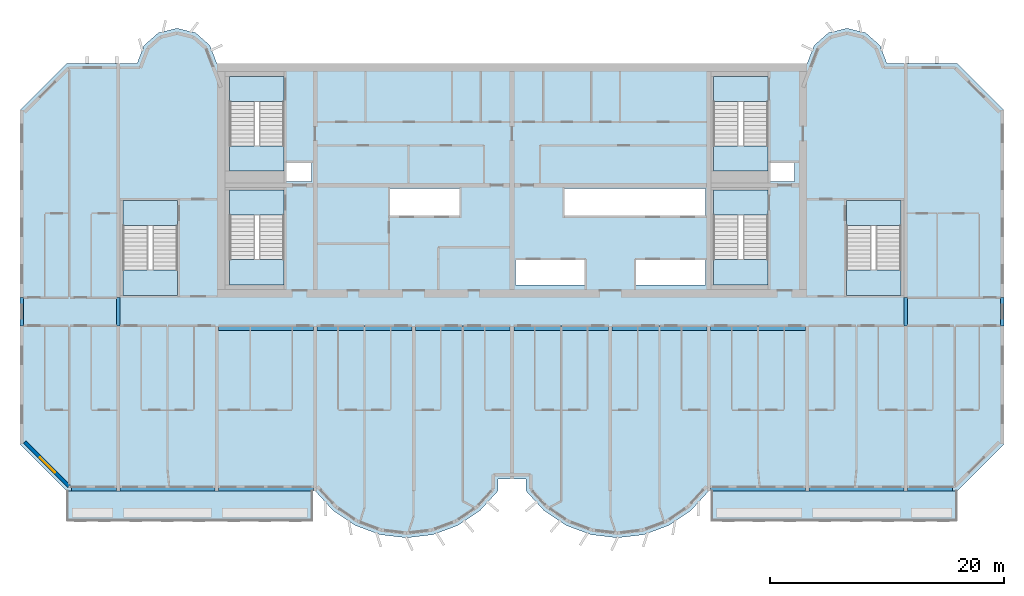
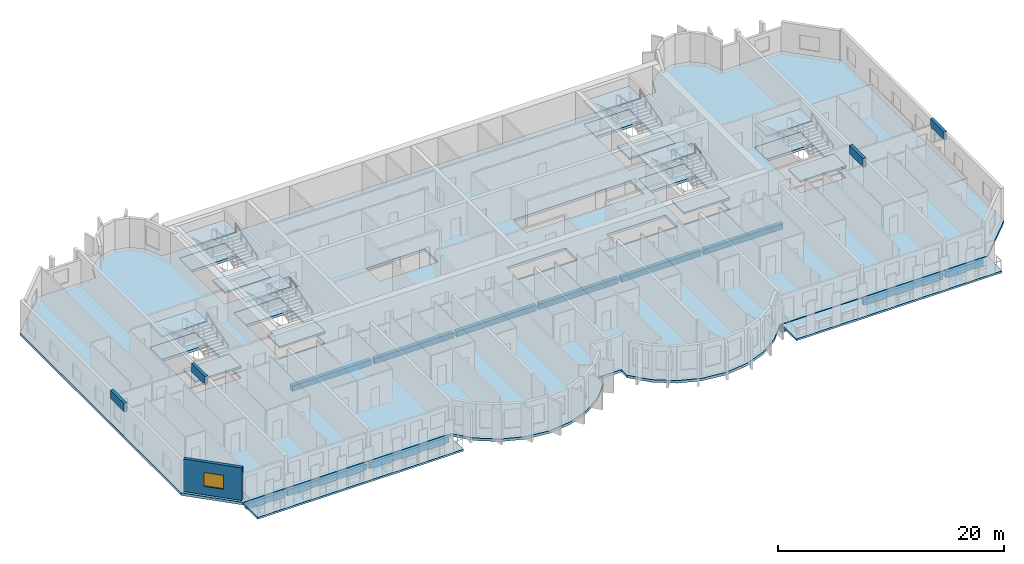
# One storey, part 1 of 13: 21 slabs, 16 beams, 1 wall, 1 window, 1 opening, 6 elements without a shape of their own.
"""IFC4 building model written with IfcOpenShell, lengths in metres."""

import ifcopenshell
import ifcopenshell.guid

model = None  # the IFC model being written
_history = None  # IfcOwnerHistory: only IFC2X3 demands one
_inside = {}  # id of a spatial element -> (the spatial element, [elements in it])
_under = {}  # id of a project, library or spatial element -> (it, [spatial elements below it])
_declared = {}  # id of a project -> (the project, [libraries it declares])
_typed = {}  # id of a type object -> (the type object, [elements of that type])
_made_of = {}  # id of a material, layer set ... -> (it, [elements and type objects made of it])


def new_model(schema):
    """Start an empty IFC model of exactly this schema.

    Asked for "IFC4X3", IfcOpenShell would pick the latest addendum, in which some entities
    have other attributes; the version numbers below select the first issue.
    IFC2X3 requires an IfcOwnerHistory on every rooted entity: one is made here for all.
    """
    global model, _history
    if schema == "IFC4X3":
        model = ifcopenshell.file(schema_version=(4, 3, 0, 0))
    else:
        model = ifcopenshell.file(schema=schema)
    _inside.clear()
    _under.clear()
    _declared.clear()
    _typed.clear()
    _made_of.clear()
    _history = None
    if model.schema == "IFC2X3":
        org = make("IfcOrganization", Name="unknown")
        user = make(
            "IfcPersonAndOrganization",
            ThePerson=make("IfcPerson", FamilyName="unknown"),
            TheOrganization=org,
        )
        app = make(
            "IfcApplication",
            ApplicationDeveloper=org,
            Version="unknown",
            ApplicationFullName="unknown",
            ApplicationIdentifier="unknown",
        )
        _history = make(
            "IfcOwnerHistory",
            OwningUser=user,
            OwningApplication=app,
            ChangeAction="ADDED",
            CreationDate=0,
        )
    return model


def make(cls, **values):
    """One entity of the class cls with the attributes given. An attribute that is None is left unset."""
    return model.create_entity(
        cls, **{name: value for name, value in values.items() if value is not None}
    )


def rooted(cls, **values):
    """An entity with a GlobalId (a new one), such as an element, a storey or a relation."""
    return make(cls, GlobalId=ifcopenshell.guid.new(), OwnerHistory=_history, **values)


def si_unit(unit_type, name, prefix=None):
    """IfcSIUnit, for example si_unit("LENGTHUNIT", "METRE", prefix="MILLI")."""
    return make("IfcSIUnit", UnitType=unit_type, Prefix=prefix, Name=name)


def assignment(units):
    """IfcUnitAssignment: the units of a project."""
    return None if units is None else make("IfcUnitAssignment", Units=units)


def point(xyz):
    """IfcCartesianPoint."""
    return None if xyz is None else make("IfcCartesianPoint", Coordinates=xyz)


def direction(xyz):
    """IfcDirection."""
    return None if xyz is None else make("IfcDirection", DirectionRatios=xyz)


def frame(location, z_axis=None, x_axis=None):
    """IfcAxis2Placement3D, a coordinate frame: its origin and axes. An axis left out is left unset."""
    return make(
        "IfcAxis2Placement3D",
        Location=point(location),
        Axis=direction(z_axis),
        RefDirection=direction(x_axis),
    )


def frame_2d(location, x_axis=None):
    """IfcAxis2Placement2D, a coordinate frame in the plane: its origin and x axis."""
    return make(
        "IfcAxis2Placement2D", Location=point(location), RefDirection=direction(x_axis)
    )


def origin():
    """The frame at (0, 0, 0) with its axes left unset."""
    return frame((0.0, 0.0, 0.0))


def origin_2d():
    """The frame at (0, 0) in the plane with its x axis left unset."""
    return frame_2d((0.0, 0.0))


def place(relative_to, where):
    """IfcLocalPlacement: puts the frame where relative to a parent placement (None: the world)."""
    return make(
        "IfcLocalPlacement", PlacementRelTo=relative_to, RelativePlacement=where
    )


def context(
    kind, dimensions, precision=None, world=None, true_north=None, identifier=None
):
    """IfcGeometricRepresentationContext, for example the 3D "Model" context."""
    return make(
        "IfcGeometricRepresentationContext",
        ContextIdentifier=identifier,
        ContextType=kind,
        CoordinateSpaceDimension=dimensions,
        Precision=precision,
        WorldCoordinateSystem=world,
        TrueNorth=true_north,
    )


def subcontext(parent, identifier, kind, view, scale=None):
    """IfcGeometricRepresentationSubContext, for example "Body" below "Model"."""
    return make(
        "IfcGeometricRepresentationSubContext",
        ContextIdentifier=identifier,
        ContextType=kind,
        ParentContext=parent,
        TargetScale=scale,
        TargetView=view,
    )


def project(units=None, contexts=None):
    """IfcProject with its units and contexts."""
    return rooted(
        "IfcProject",
        Name="project",
        RepresentationContexts=contexts,
        UnitsInContext=assignment(units),
    )


def spatial(cls, under=None, at=None, **own):
    """A site, building, storey or space (cls), placed at a placement, below another one or the project."""
    s = rooted(cls, ObjectPlacement=at, **own)
    if under is not None:
        _under.setdefault(under.id(), (under, []))[1].append(s)
    return s


def polyline(points):
    """IfcPolyline through the points."""
    return make("IfcPolyline", Points=[point(p) for p in points])


def profile(cls, at=None, kind="AREA", **sizes):
    """A parametric profile (cls). Its sizes go by their IFC names, for example OverallWidth=200.0."""
    return make(cls, ProfileType=kind, Position=at, **sizes)


def rectangle(**sizes):
    """IfcRectangleProfileDef."""
    return profile("IfcRectangleProfileDef", **sizes)


def outline(outer, holes=None, kind="AREA"):
    """IfcArbitraryClosedProfileDef: a profile drawn as a closed curve; with holes, ...WithVoids."""
    if holes is None:
        return make("IfcArbitraryClosedProfileDef", ProfileType=kind, OuterCurve=outer)
    return make(
        "IfcArbitraryProfileDefWithVoids",
        ProfileType=kind,
        OuterCurve=outer,
        InnerCurves=holes,
    )


def extrude(swept, where, along, depth):
    """IfcExtrudedAreaSolid: the profile swept, set in the frame where, extruded along a direction by depth."""
    return make(
        "IfcExtrudedAreaSolid",
        SweptArea=swept,
        Position=where,
        ExtrudedDirection=direction(along),
        Depth=depth,
    )


def shape(context_of_items, identifier, shape_type, items):
    """IfcShapeRepresentation: the items that make up one representation, for example the "Body"."""
    return make(
        "IfcShapeRepresentation",
        ContextOfItems=context_of_items,
        RepresentationIdentifier=identifier,
        RepresentationType=shape_type,
        Items=items,
    )


def source(mapping_origin, context_of_items, identifier, shape_type, items):
    """IfcRepresentationMap: a shape defined once, which mapped items show again and again."""
    return make(
        "IfcRepresentationMap",
        MappingOrigin=mapping_origin,
        MappedRepresentation=shape(context_of_items, identifier, shape_type, items),
    )


def transform(
    local_origin,
    x_axis=None,
    y_axis=None,
    z_axis=None,
    scale=None,
    scale2=None,
    scale3=None,
    uniform=True,
):
    """IfcCartesianTransformationOperator3D, or its non-uniform kind. x_axis, y_axis, z_axis: its Axis1, 2, 3."""
    if uniform:
        return make(
            "IfcCartesianTransformationOperator3D",
            Axis1=direction(x_axis),
            Axis2=direction(y_axis),
            LocalOrigin=point(local_origin),
            Scale=scale,
            Axis3=direction(z_axis),
        )
    return make(
        "IfcCartesianTransformationOperator3DnonUniform",
        Axis1=direction(x_axis),
        Axis2=direction(y_axis),
        LocalOrigin=point(local_origin),
        Scale=scale,
        Axis3=direction(z_axis),
        Scale2=scale2,
        Scale3=scale3,
    )


def mapped(mapping_source, mapping_target):
    """IfcMappedItem: shows the shape of a source again, moved by a transform."""
    return make(
        "IfcMappedItem", MappingSource=mapping_source, MappingTarget=mapping_target
    )


def material(Name=None, Category=None):
    """IfcMaterial."""
    return make("IfcMaterial", Name=Name, Category=Category)


def layer(
    of_material, thickness, ventilated=None, Name=None, Category=None, Priority=None
):
    """IfcMaterialLayer: one layer of a wall or slab, of a material (None: an air gap)."""
    return make(
        "IfcMaterialLayer",
        Material=of_material,
        LayerThickness=thickness,
        IsVentilated=ventilated,
        Name=Name,
        Category=Category,
        Priority=Priority,
    )


def layer_set(layers, Name=None):
    """IfcMaterialLayerSet."""
    return make("IfcMaterialLayerSet", MaterialLayers=layers, LayerSetName=Name)


def material_profile(
    of_material, cross_section, Name=None, Category=None, Priority=None
):
    """IfcMaterialProfile: a cross section and its material."""
    return make(
        "IfcMaterialProfile",
        Name=Name,
        Material=of_material,
        Profile=cross_section,
        Priority=Priority,
        Category=Category,
    )


def profile_set(profiles, Name=None, composite=None):
    """IfcMaterialProfileSet."""
    return make(
        "IfcMaterialProfileSet",
        Name=Name,
        MaterialProfiles=profiles,
        CompositeProfile=composite,
    )


def made_of(thing, what):
    """Note that an element or type object is made of a material, layer set ...; save() writes the relation."""
    if what is not None:
        _made_of.setdefault(what.id(), (what, []))[1].append(thing)
    return thing


def type_object(cls, material=None, **own):
    """A type object (cls), such as IfcWallType, which elements share."""
    return made_of(rooted(cls, **own), material)


def element(
    cls,
    number,
    at=None,
    inside=None,
    cuts=None,
    type_object=None,
    material=None,
    context=None,
    identifier="Body",
    shape_type=None,
    held_by="IfcProductDefinitionShape",
    body=None,
    shapes=None,
    **own,
):
    """One element of the class cls, such as IfcWall. Its Tag is "e" and its number.

    at: its placement. inside: the storey or other place that contains it. cuts: it is an
    opening in that element (IfcRelVoidsElement). A single representation is given by context,
    identifier, shape_type and body (its items); several are given by shapes. held_by: the class
    of the entity that holds the representations. save() writes the other relations.
    """
    e = rooted(cls, Tag="e%d" % number, ObjectPlacement=at, **own)
    if body is not None:
        shapes = [shape(context, identifier, shape_type, body)]
    if shapes is not None:
        e.Representation = make(held_by, Representations=shapes)
    if inside is not None:
        _inside.setdefault(inside.id(), (inside, []))[1].append(e)
    if cuts is not None:
        rooted(
            "IfcRelVoidsElement", RelatingBuildingElement=cuts, RelatedOpeningElement=e
        )
    if type_object is not None:
        _typed.setdefault(type_object.id(), (type_object, []))[1].append(e)
    return made_of(e, material)


def fill(opening, filler):
    """IfcRelFillsElement: the door or window that sits in an opening."""
    return rooted(
        "IfcRelFillsElement",
        RelatingOpeningElement=opening,
        RelatedBuildingElement=filler,
    )


def aggregate(whole, parts):
    """IfcRelAggregates: a whole, such as a stair, and the parts it consists of."""
    return rooted("IfcRelAggregates", RelatingObject=whole, RelatedObjects=parts)


def save(model, path):
    """Write the relations noted so far, then the file.

    IfcRelAggregates (storeys below a building ...), IfcRelContainedInSpatialStructure (elements
    in a storey), IfcRelDefinesByType, IfcRelAssociatesMaterial and IfcRelDeclares: one each for
    every whole, place, type object, material and project.
    """
    for whole, parts in _under.values():
        aggregate(whole, parts)
    for where, things in _inside.values():
        rooted(
            "IfcRelContainedInSpatialStructure",
            RelatedElements=things,
            RelatingStructure=where,
        )
    for kind, things in _typed.values():
        rooted("IfcRelDefinesByType", RelatedObjects=things, RelatingType=kind)
    for what, things in _made_of.values():
        rooted("IfcRelAssociatesMaterial", RelatedObjects=things, RelatingMaterial=what)
    for by, libraries in _declared.values():
        rooted("IfcRelDeclares", RelatingContext=by, RelatedDefinitions=libraries)
    model.write(path)


model = new_model("IFC4")

# Units and contexts
model_context = context("Model", 3, precision=1e-05, world=origin(), true_north=direction((0.0, 1.0)))
body_context = subcontext(model_context, "Body", "Model", "MODEL_VIEW")
ifc_project = project(units=[si_unit("LENGTHUNIT", "METRE"), si_unit("AREAUNIT", "SQUARE_METRE"), si_unit("VOLUMEUNIT", "CUBIC_METRE"), si_unit("PLANEANGLEUNIT", "RADIAN"), si_unit("MASSUNIT", "GRAM", prefix="KILO")], contexts=[model_context])

# Site, building, storey
site_placement = place(None, origin())
site = spatial("IfcSite", under=ifc_project, at=site_placement, CompositionType="ELEMENT")
building_placement = place(site_placement, origin())
building = spatial("IfcBuilding", under=site, at=building_placement, Name="Vanashikhar Sky Hotel", CompositionType="ELEMENT")
storey_placement = place(building_placement, frame((0.0, 0.0, 174.39990234375)))
storey = spatial("IfcBuildingStorey", under=building, at=storey_placement, Name="L42", CompositionType="ELEMENT", Elevation=174.39990234375)

# Beams
ifc_material_1 = material(Name="Concrete M50", Category="concrete")
ifc_material_profile_1 = material_profile(ifc_material_1, rectangle(XDim=0.300048828125, YDim=0.89990234375, at=origin_2d()))
ifc_profile_set_1 = profile_set([ifc_material_profile_1], Name="RC 300x900 beam Concrete M50")
beam_type_1 = type_object("IfcBeamType", Name="RC 300x900 beam Concrete M50", PredefinedType="LINTEL", material=ifc_profile_set_1)
shared_shape_1 = source(origin(), body_context, "Body", "SweptSolid", [
    extrude(rectangle(XDim=0.300048828125, YDim=0.89990234375, at=origin_2d()), origin(), (0.0, 0.0, 1.0), 2.39990234375),
])
for number, where, z_axis, x_axis, name in (
    (1, (8.550048828125, 19.60009765625, 3.070068359375), (0.0, 1.0, 0.0), (-1.0, 0.0, 0.0), "LB-L42-XW02"),
    (2, (16.800048828125, 19.60009765625, 3.070068359375), (0.0, 1.0, 0.0), (-1.0, 0.0, 0.0), "LB-L42-XW03"),
    (3, (84.0, 19.60009765625, 3.070068359375), (0.0, 1.0, 0.0), (-1.0, 0.0, 0.0), "LB-L42-XW11"),
    (4, (92.25, 19.60009765625, 3.070068359375), (0.0, 1.0, 0.0), (-1.0, 0.0, 0.0), "LB-L42-XW12"),
):
    element("IfcBeam", number, at=place(storey_placement, frame(where, z_axis=z_axis, x_axis=x_axis)), inside=storey, type_object=beam_type_1, Name=name, PredefinedType="LINTEL", context=body_context, shape_type="MappedRepresentation", body=[
        mapped(shared_shape_1, transform((0.0, 0.0, 0.0), scale=1.0)),
    ])
ifc_material_profile_2 = material_profile(ifc_material_1, rectangle(XDim=0.39990234375, YDim=0.64990234375, at=origin_2d()))
ifc_profile_set_2 = profile_set([ifc_material_profile_2], Name="RC 400x650 beam Concrete M50")
beam_type_2 = type_object("IfcBeamType", Name="RC 400x650 beam Concrete M50", PredefinedType="BEAM", material=ifc_profile_set_2)
shared_shape_2 = source(origin(), body_context, "Body", "SweptSolid", [
    extrude(rectangle(XDim=0.39990234375, YDim=0.64990234375, at=origin_2d()), origin(), (0.0, 0.0, 1.0), 8.10009765625),
])
for number, where, z_axis, x_axis, name in (
    (5, (16.949951171875, 5.699951171875, -0.60498046875), (1.0, 0.0, 0.0), (0.0, 1.0, 0.0), "EB-L42-F01"),
    (6, (75.75, 5.699951171875, -0.60498046875), (1.0, 0.0, 0.0), (0.0, 1.0, 0.0), "EB-L42-F05"),
):
    element("IfcBeam", number, at=place(storey_placement, frame(where, z_axis=z_axis, x_axis=x_axis)), inside=storey, type_object=beam_type_2, Name=name, PredefinedType="BEAM", context=body_context, shape_type="MappedRepresentation", body=[
        mapped(shared_shape_2, transform((0.0, 0.0, 0.0), scale=1.0)),
    ])
shared_shape_3 = source(origin(), body_context, "Body", "SweptSolid", [
    extrude(rectangle(XDim=0.39990234375, YDim=0.64990234375, at=origin_2d()), origin(), (0.0, 0.0, 1.0), 8.099853515625),
])
for number, where, z_axis, x_axis, name in (
    (7, (25.35009765625, 5.699951171875, -0.60498046875), (1.0, 0.0, 0.0), (0.0, 1.0, 0.0), "EB-L42-F02"),
    (8, (67.35009765625, 5.699951171875, -0.60498046875), (1.0, 0.0, 0.0), (0.0, 1.0, 0.0), "EB-L42-F04"),
):
    element("IfcBeam", number, at=place(storey_placement, frame(where, z_axis=z_axis, x_axis=x_axis)), inside=storey, type_object=beam_type_2, Name=name, PredefinedType="BEAM", context=body_context, shape_type="MappedRepresentation", body=[
        mapped(shared_shape_3, transform((0.0, 0.0, 0.0), scale=1.0)),
    ])
ifc_material_profile_3 = material_profile(ifc_material_1, rectangle(XDim=0.39990234375, YDim=0.64990234375, at=origin_2d()))
ifc_profile_set_3 = profile_set([ifc_material_profile_3], Name="RC 400x650 cantilever beam Concrete M50")
beam_type_3 = type_object("IfcBeamType", Name="RC 400x650 cantilever beam Concrete M50", PredefinedType="SPANDREL", material=ifc_profile_set_3)
shared_shape_4 = source(origin(), body_context, "Body", "SweptSolid", [
    extrude(rectangle(XDim=0.39990234375, YDim=0.64990234375, at=origin_2d()), origin(), (0.0, 0.0, 1.0), 3.849853515625),
])
beam_1_placement = place(storey_placement, frame((12.800048828125, 5.699951171875, -0.60498046875), z_axis=(1.0, 0.0, 0.0), x_axis=(0.0, 1.0, 0.0)))
element("IfcBeam", 9, at=beam_1_placement, inside=storey, type_object=beam_type_3, Name="EB-L42-F03", PredefinedType="SPANDREL", context=body_context, shape_type="MappedRepresentation", body=[
    mapped(shared_shape_4, transform((0.0, 0.0, 0.0), scale=1.0)),
])
shared_shape_5 = source(origin(), body_context, "Body", "SweptSolid", [
    extrude(rectangle(XDim=0.39990234375, YDim=0.64990234375, at=origin_2d()), origin(), (0.0, 0.0, 1.0), 3.85009765625),
])
beam_2_placement = place(storey_placement, frame((84.14990234375, 5.699951171875, -0.60498046875), z_axis=(1.0, 0.0, 0.0), x_axis=(0.0, 1.0, 0.0)))
element("IfcBeam", 10, at=beam_2_placement, inside=storey, type_object=beam_type_3, Name="EB-L42-F06", PredefinedType="SPANDREL", context=body_context, shape_type="MappedRepresentation", body=[
    mapped(shared_shape_5, transform((0.0, 0.0, 0.0), scale=1.0)),
])
ifc_material_profile_4 = material_profile(ifc_material_1, rectangle(XDim=0.39990234375, YDim=0.60009765625, at=origin_2d()))
ifc_profile_set_4 = profile_set([ifc_material_profile_4], Name="RC 400x600 beam Concrete M50")
beam_type_4 = type_object("IfcBeamType", Name="RC 400x600 beam Concrete M50", PredefinedType="BEAM", material=ifc_profile_set_4)
shared_shape_6 = source(origin(), body_context, "Body", "SweptSolid", [
    extrude(rectangle(XDim=0.39990234375, YDim=0.60009765625, at=origin_2d()), origin(), (0.0, 0.0, 1.0), 8.099853515625),
])
for number, where, z_axis, x_axis, name in (
    (11, (25.35009765625, 19.39990234375, -0.579833984375), (1.0, 0.0, 0.0), (0.0, 1.0, 0.0), "CB-L42-01"),
    (12, (50.550048828125, 19.39990234375, -0.579833984375), (1.0, 0.0, 0.0), (0.0, 1.0, 0.0), "CB-L42-04"),
    (13, (67.35009765625, 19.39990234375, -0.579833984375), (1.0, 0.0, 0.0), (0.0, 1.0, 0.0), "CB-L42-06"),
):
    element("IfcBeam", number, at=place(storey_placement, frame(where, z_axis=z_axis, x_axis=x_axis)), inside=storey, type_object=beam_type_4, Name=name, PredefinedType="BEAM", context=body_context, shape_type="MappedRepresentation", body=[
        mapped(shared_shape_6, transform((0.0, 0.0, 0.0), scale=1.0)),
    ])
shared_shape_7 = source(origin(), body_context, "Body", "SweptSolid", [
    extrude(rectangle(XDim=0.39990234375, YDim=0.60009765625, at=origin_2d()), origin(), (0.0, 0.0, 1.0), 8.10009765625),
])
for number, where, z_axis, x_axis, name in (
    (14, (33.75, 19.39990234375, -0.579833984375), (1.0, 0.0, 0.0), (0.0, 1.0, 0.0), "CB-L42-02"),
    (15, (42.14990234375, 19.39990234375, -0.579833984375), (1.0, 0.0, 0.0), (0.0, 1.0, 0.0), "CB-L42-03"),
    (16, (58.949951171875, 19.39990234375, -0.579833984375), (1.0, 0.0, 0.0), (0.0, 1.0, 0.0), "CB-L42-05"),
):
    element("IfcBeam", number, at=place(storey_placement, frame(where, z_axis=z_axis, x_axis=x_axis)), inside=storey, type_object=beam_type_4, Name=name, PredefinedType="BEAM", context=body_context, shape_type="MappedRepresentation", body=[
        mapped(shared_shape_7, transform((0.0, 0.0, 0.0), scale=1.0)),
    ])

# Slabs
ifc_material_2 = material(Name="Concrete M40", Category="concrete")
ifc_layer_1 = layer(ifc_material_2, 0.280029296875)
ifc_layer_set_1 = layer_set([ifc_layer_1], Name="Floor slab 280 mm")
slab_type_1 = type_object("IfcSlabType", Name="Floor slab 280 mm", PredefinedType="FLOOR", material=ifc_layer_set_1)
shared_shape_8 = source(origin(), body_context, "Body", "SweptSolid", [
    extrude(outline(polyline([(49.199951171875, 5.5), (49.199951171875, 6.5), (51.60009765625, 6.5), (51.60009765625, 5.5), (53.133056640625, 3.825927734375), (55.01708984375, 2.55810546875), (57.14599609375, 1.76806640625), (59.39990234375, 1.5), (61.654052734375, 1.76806640625), (63.782958984375, 2.55810546875), (65.6669921875, 3.825927734375), (67.199951171875, 5.5), (88.39990234375, 5.5), (92.39990234375, 9.5), (92.39990234375, 38.0), (88.39990234375, 42.0), (82.39990234375, 42.0), (81.81494140625, 43.527099609375), (80.587890625, 44.610107421875), (79.0, 45.0), (77.412109375, 44.610107421875), (76.18505859375, 43.527099609375), (75.60009765625, 42.0), (25.199951171875, 42.0), (24.614990234375, 43.527099609375), (23.387939453125, 44.610107421875), (21.800048828125, 45.0), (20.2119140625, 44.610107421875), (18.985107421875, 43.527099609375), (18.39990234375, 42.0), (12.39990234375, 42.0), (8.39990234375, 38.0), (8.39990234375, 9.5), (12.39990234375, 5.5), (33.60009765625, 5.5), (35.133056640625, 3.825927734375), (37.01708984375, 2.55810546875), (39.14599609375, 1.76806640625), (41.39990234375, 1.5), (43.654052734375, 1.76806640625), (45.782958984375, 2.55810546875), (47.6669921875, 3.825927734375), (49.199951171875, 5.5)]), holes=[polyline([(33.300048828125, 33.60009765625), (31.050048828125, 33.60009765625), (31.050048828125, 31.89990234375), (33.300048828125, 31.89990234375), (33.300048828125, 33.60009765625)]), polyline([(39.89990234375, 31.300048828125), (39.89990234375, 29.0), (45.89990234375, 29.0), (45.89990234375, 31.300048828125), (39.89990234375, 31.300048828125)]), polyline([(50.699951171875, 25.199951171875), (50.699951171875, 23.10009765625), (56.699951171875, 23.10009765625), (56.699951171875, 25.199951171875), (50.699951171875, 25.199951171875)]), polyline([(66.89990234375, 29.0), (66.89990234375, 31.300048828125), (54.89990234375, 31.300048828125), (54.89990234375, 29.0), (66.89990234375, 29.0)]), polyline([(60.89990234375, 25.199951171875), (60.89990234375, 23.10009765625), (66.89990234375, 23.10009765625), (66.89990234375, 25.199951171875), (60.89990234375, 25.199951171875)]), polyline([(74.5, 33.60009765625), (72.35009765625, 33.60009765625), (72.35009765625, 31.89990234375), (74.5, 31.89990234375), (74.5, 33.60009765625)]), polyline([(30.949951171875, 23.10009765625), (30.949951171875, 31.199951171875), (26.300048828125, 31.199951171875), (26.300048828125, 23.10009765625), (30.949951171875, 23.10009765625)]), polyline([(72.25, 23.10009765625), (72.25, 31.199951171875), (67.60009765625, 31.199951171875), (67.60009765625, 23.10009765625), (72.25, 23.10009765625)]), polyline([(30.949951171875, 32.800048828125), (30.949951171875, 40.89990234375), (26.300048828125, 40.89990234375), (26.300048828125, 32.800048828125), (30.949951171875, 32.800048828125)]), polyline([(72.25, 32.800048828125), (72.25, 40.89990234375), (67.60009765625, 40.89990234375), (67.60009765625, 32.800048828125), (72.25, 32.800048828125)]), polyline([(83.60009765625, 22.199951171875), (83.60009765625, 30.300048828125), (78.949951171875, 30.300048828125), (78.949951171875, 22.199951171875), (83.60009765625, 22.199951171875)]), polyline([(21.85009765625, 22.199951171875), (21.85009765625, 30.300048828125), (17.199951171875, 30.300048828125), (17.199951171875, 22.199951171875), (21.85009765625, 22.199951171875)])]), origin(), (0.0, 0.0, 1.0), 0.27978515625),
])
slab_1_placement = place(storey_placement, frame((0.0, 0.0, -0.27978515625)))
element("IfcSlab", 17, at=slab_1_placement, inside=storey, type_object=slab_type_1, Name="Floor slab L42", PredefinedType="FLOOR", context=body_context, shape_type="MappedRepresentation", body=[
    mapped(shared_shape_8, transform((0.0, 0.0, 0.0), scale=1.0)),
])
ifc_layer_2 = layer(ifc_material_2, 0.199951171875)
ifc_layer_set_2 = layer_set([ifc_layer_2], Name="Balcony slab 200 mm")
slab_type_2 = type_object("IfcSlabType", Name="Balcony slab 200 mm", PredefinedType="USERDEFINED", material=ifc_layer_set_2)
shared_shape_9 = source(origin(), body_context, "Body", "SweptSolid", [
    extrude(outline(polyline([(12.39990234375, 2.89990234375), (33.39990234375, 2.89990234375), (33.39990234375, 5.5), (12.39990234375, 5.5), (12.39990234375, 2.89990234375)])), origin(), (0.0, 0.0, 1.0), 0.2001953125),
])
slab_2_placement = place(storey_placement, frame((0.0, 0.0, -0.25)))
element("IfcSlab", 18, at=slab_2_placement, inside=storey, type_object=slab_type_2, Name="Balcony slab L42 1", ObjectType="BALCONY", PredefinedType="USERDEFINED", context=body_context, shape_type="MappedRepresentation", body=[
    mapped(shared_shape_9, transform((0.0, 0.0, 0.0), scale=1.0)),
])
shared_shape_10 = source(origin(), body_context, "Body", "SweptSolid", [
    extrude(outline(polyline([(67.39990234375, 2.89990234375), (88.39990234375, 2.89990234375), (88.39990234375, 5.5), (67.39990234375, 5.5), (67.39990234375, 2.89990234375)])), origin(), (0.0, 0.0, 1.0), 0.2001953125),
])
slab_3_placement = place(storey_placement, frame((0.0, 0.0, -0.25)))
element("IfcSlab", 19, at=slab_3_placement, inside=storey, type_object=slab_type_2, Name="Balcony slab L42 2", ObjectType="BALCONY", PredefinedType="USERDEFINED", context=body_context, shape_type="MappedRepresentation", body=[
    mapped(shared_shape_10, transform((0.0, 0.0, 0.0), scale=1.0)),
])

# Stair, slabs
stair_type = type_object("IfcStairType", Name="Exit stair 2150", PredefinedType="DOUBLE_RETURN_STAIR", material=ifc_material_2)
stair_1_placement = place(storey_placement, origin())
stair_1 = element("IfcStair", 20, at=stair_1_placement, inside=storey, type_object=stair_type, Name="L42 Exit stair 1", PredefinedType="DOUBLE_RETURN_STAIR")
ifc_layer_3 = layer(ifc_material_2, 0.199951171875)
ifc_layer_set_3 = layer_set([ifc_layer_3], Name="Stair landing 200")
slab_type_3 = type_object("IfcSlabType", Name="Stair landing 200", PredefinedType="LANDING", material=ifc_layer_set_3)
shared_shape_11 = source(origin(), body_context, "Body", "SweptSolid", [
    extrude(outline(polyline([(30.949951171875, 29.050048828125), (30.949951171875, 31.199951171875), (26.300048828125, 31.199951171875), (26.300048828125, 29.050048828125), (30.949951171875, 29.050048828125)])), origin(), (0.0, 0.0, 1.0), 0.199951171875),
])
slab_4_placement = place(storey_placement, frame((0.0, 0.0, 2.33349609375)))
slab_4 = element("IfcSlab", 21, at=slab_4_placement, type_object=slab_type_3, Name="ST-C1 landing 2", PredefinedType="LANDING", context=body_context, shape_type="MappedRepresentation", body=[
    mapped(shared_shape_11, transform((0.0, 0.0, 0.0), scale=1.0)),
])
shared_shape_12 = source(origin(), body_context, "Body", "SweptSolid", [
    extrude(outline(polyline([(30.949951171875, 23.10009765625), (30.949951171875, 25.25), (26.300048828125, 25.25), (26.300048828125, 23.10009765625), (30.949951171875, 23.10009765625)])), origin(), (0.0, 0.0, 1.0), 0.2001953125),
])
slab_5_placement = place(storey_placement, frame((0.0, 0.0, 1.066650390625)))
slab_5 = element("IfcSlab", 22, at=slab_5_placement, type_object=slab_type_3, Name="ST-C1 landing 1", PredefinedType="LANDING", context=body_context, shape_type="MappedRepresentation", body=[
    mapped(shared_shape_12, transform((0.0, 0.0, 0.0), scale=1.0)),
])
aggregate(stair_1, [slab_5, slab_4])

# Slab
ifc_layer_4 = layer(ifc_material_2, 0.280029296875)
ifc_layer_set_4 = layer_set([ifc_layer_4], Name="Stair floor landing 280")
slab_type_4 = type_object("IfcSlabType", Name="Stair floor landing 280", PredefinedType="LANDING", material=ifc_layer_set_4)
shared_shape_13 = source(origin(), body_context, "Body", "SweptSolid", [
    extrude(outline(polyline([(30.949951171875, 29.050048828125), (30.949951171875, 31.199951171875), (26.300048828125, 31.199951171875), (26.300048828125, 29.050048828125), (30.949951171875, 29.050048828125)])), origin(), (0.0, 0.0, 1.0), 0.27978515625),
])
slab_6_placement = place(storey_placement, frame((0.0, 0.0, -0.27978515625)))
element("IfcSlab", 23, at=slab_6_placement, inside=storey, type_object=slab_type_4, Name="Exit stair 1 floor landing", PredefinedType="LANDING", context=body_context, shape_type="MappedRepresentation", body=[
    mapped(shared_shape_13, transform((0.0, 0.0, 0.0), scale=1.0)),
])

# Stair, slabs
stair_2_placement = place(storey_placement, origin())
stair_2 = element("IfcStair", 24, at=stair_2_placement, inside=storey, type_object=stair_type, Name="L42 Exit stair 2", PredefinedType="DOUBLE_RETURN_STAIR")
shared_shape_14 = source(origin(), body_context, "Body", "SweptSolid", [
    extrude(outline(polyline([(72.25, 29.050048828125), (72.25, 31.199951171875), (67.60009765625, 31.199951171875), (67.60009765625, 29.050048828125), (72.25, 29.050048828125)])), origin(), (0.0, 0.0, 1.0), 0.199951171875),
])
slab_7_placement = place(storey_placement, frame((0.0, 0.0, 2.33349609375)))
slab_7 = element("IfcSlab", 25, at=slab_7_placement, type_object=slab_type_3, Name="ST-C2 landing 2", PredefinedType="LANDING", context=body_context, shape_type="MappedRepresentation", body=[
    mapped(shared_shape_14, transform((0.0, 0.0, 0.0), scale=1.0)),
])
shared_shape_15 = source(origin(), body_context, "Body", "SweptSolid", [
    extrude(outline(polyline([(72.25, 23.10009765625), (72.25, 25.25), (67.60009765625, 25.25), (67.60009765625, 23.10009765625), (72.25, 23.10009765625)])), origin(), (0.0, 0.0, 1.0), 0.2001953125),
])
slab_8_placement = place(storey_placement, frame((0.0, 0.0, 1.066650390625)))
slab_8 = element("IfcSlab", 26, at=slab_8_placement, type_object=slab_type_3, Name="ST-C2 landing 1", PredefinedType="LANDING", context=body_context, shape_type="MappedRepresentation", body=[
    mapped(shared_shape_15, transform((0.0, 0.0, 0.0), scale=1.0)),
])
aggregate(stair_2, [slab_8, slab_7])

# Slab
shared_shape_16 = source(origin(), body_context, "Body", "SweptSolid", [
    extrude(outline(polyline([(72.25, 29.050048828125), (72.25, 31.199951171875), (67.60009765625, 31.199951171875), (67.60009765625, 29.050048828125), (72.25, 29.050048828125)])), origin(), (0.0, 0.0, 1.0), 0.27978515625),
])
slab_9_placement = place(storey_placement, frame((0.0, 0.0, -0.27978515625)))
element("IfcSlab", 27, at=slab_9_placement, inside=storey, type_object=slab_type_4, Name="Exit stair 2 floor landing", PredefinedType="LANDING", context=body_context, shape_type="MappedRepresentation", body=[
    mapped(shared_shape_16, transform((0.0, 0.0, 0.0), scale=1.0)),
])

# Stair, slabs
stair_3_placement = place(storey_placement, origin())
stair_3 = element("IfcStair", 28, at=stair_3_placement, inside=storey, type_object=stair_type, Name="L42 Exit stair 3", PredefinedType="DOUBLE_RETURN_STAIR")
shared_shape_17 = source(origin(), body_context, "Body", "SweptSolid", [
    extrude(outline(polyline([(21.85009765625, 28.14990234375), (21.85009765625, 30.300048828125), (17.199951171875, 30.300048828125), (17.199951171875, 28.14990234375), (21.85009765625, 28.14990234375)])), origin(), (0.0, 0.0, 1.0), 0.199951171875),
])
slab_10_placement = place(storey_placement, frame((0.0, 0.0, 2.33349609375)))
slab_10 = element("IfcSlab", 29, at=slab_10_placement, type_object=slab_type_3, Name="ST-W landing 2", PredefinedType="LANDING", context=body_context, shape_type="MappedRepresentation", body=[
    mapped(shared_shape_17, transform((0.0, 0.0, 0.0), scale=1.0)),
])
shared_shape_18 = source(origin(), body_context, "Body", "SweptSolid", [
    extrude(outline(polyline([(21.85009765625, 22.199951171875), (21.85009765625, 24.35009765625), (17.199951171875, 24.35009765625), (17.199951171875, 22.199951171875), (21.85009765625, 22.199951171875)])), origin(), (0.0, 0.0, 1.0), 0.2001953125),
])
slab_11_placement = place(storey_placement, frame((0.0, 0.0, 1.066650390625)))
slab_11 = element("IfcSlab", 30, at=slab_11_placement, type_object=slab_type_3, Name="ST-W landing 1", PredefinedType="LANDING", context=body_context, shape_type="MappedRepresentation", body=[
    mapped(shared_shape_18, transform((0.0, 0.0, 0.0), scale=1.0)),
])
aggregate(stair_3, [slab_11, slab_10])

# Slab
shared_shape_19 = source(origin(), body_context, "Body", "SweptSolid", [
    extrude(outline(polyline([(21.85009765625, 28.14990234375), (21.85009765625, 30.300048828125), (17.199951171875, 30.300048828125), (17.199951171875, 28.14990234375), (21.85009765625, 28.14990234375)])), origin(), (0.0, 0.0, 1.0), 0.27978515625),
])
slab_12_placement = place(storey_placement, frame((0.0, 0.0, -0.27978515625)))
element("IfcSlab", 31, at=slab_12_placement, inside=storey, type_object=slab_type_4, Name="Exit stair 3 floor landing", PredefinedType="LANDING", context=body_context, shape_type="MappedRepresentation", body=[
    mapped(shared_shape_19, transform((0.0, 0.0, 0.0), scale=1.0)),
])

# Stair, slabs
stair_4_placement = place(storey_placement, origin())
stair_4 = element("IfcStair", 32, at=stair_4_placement, inside=storey, type_object=stair_type, Name="L42 Exit stair 4", PredefinedType="DOUBLE_RETURN_STAIR")
shared_shape_20 = source(origin(), body_context, "Body", "SweptSolid", [
    extrude(outline(polyline([(83.60009765625, 28.14990234375), (83.60009765625, 30.300048828125), (78.949951171875, 30.300048828125), (78.949951171875, 28.14990234375), (83.60009765625, 28.14990234375)])), origin(), (0.0, 0.0, 1.0), 0.199951171875),
])
slab_13_placement = place(storey_placement, frame((0.0, 0.0, 2.33349609375)))
slab_13 = element("IfcSlab", 33, at=slab_13_placement, type_object=slab_type_3, Name="ST-E landing 2", PredefinedType="LANDING", context=body_context, shape_type="MappedRepresentation", body=[
    mapped(shared_shape_20, transform((0.0, 0.0, 0.0), scale=1.0)),
])
shared_shape_21 = source(origin(), body_context, "Body", "SweptSolid", [
    extrude(outline(polyline([(83.60009765625, 22.199951171875), (83.60009765625, 24.35009765625), (78.949951171875, 24.35009765625), (78.949951171875, 22.199951171875), (83.60009765625, 22.199951171875)])), origin(), (0.0, 0.0, 1.0), 0.2001953125),
])
slab_14_placement = place(storey_placement, frame((0.0, 0.0, 1.066650390625)))
slab_14 = element("IfcSlab", 34, at=slab_14_placement, type_object=slab_type_3, Name="ST-E landing 1", PredefinedType="LANDING", context=body_context, shape_type="MappedRepresentation", body=[
    mapped(shared_shape_21, transform((0.0, 0.0, 0.0), scale=1.0)),
])
aggregate(stair_4, [slab_14, slab_13])

# Slab
shared_shape_22 = source(origin(), body_context, "Body", "SweptSolid", [
    extrude(outline(polyline([(83.60009765625, 28.14990234375), (83.60009765625, 30.300048828125), (78.949951171875, 30.300048828125), (78.949951171875, 28.14990234375), (83.60009765625, 28.14990234375)])), origin(), (0.0, 0.0, 1.0), 0.27978515625),
])
slab_15_placement = place(storey_placement, frame((0.0, 0.0, -0.27978515625)))
element("IfcSlab", 35, at=slab_15_placement, inside=storey, type_object=slab_type_4, Name="Exit stair 4 floor landing", PredefinedType="LANDING", context=body_context, shape_type="MappedRepresentation", body=[
    mapped(shared_shape_22, transform((0.0, 0.0, 0.0), scale=1.0)),
])

# Stair, slabs
stair_5_placement = place(storey_placement, origin())
stair_5 = element("IfcStair", 36, at=stair_5_placement, inside=storey, type_object=stair_type, Name="L42 Exit stair 5", PredefinedType="DOUBLE_RETURN_STAIR")
shared_shape_23 = source(origin(), body_context, "Body", "SweptSolid", [
    extrude(outline(polyline([(30.949951171875, 38.75), (30.949951171875, 40.89990234375), (26.300048828125, 40.89990234375), (26.300048828125, 38.75), (30.949951171875, 38.75)])), origin(), (0.0, 0.0, 1.0), 0.199951171875),
])
slab_16_placement = place(storey_placement, frame((0.0, 0.0, 2.33349609375)))
slab_16 = element("IfcSlab", 37, at=slab_16_placement, type_object=slab_type_3, Name="ST-C3 landing 2", PredefinedType="LANDING", context=body_context, shape_type="MappedRepresentation", body=[
    mapped(shared_shape_23, transform((0.0, 0.0, 0.0), scale=1.0)),
])
shared_shape_24 = source(origin(), body_context, "Body", "SweptSolid", [
    extrude(outline(polyline([(30.949951171875, 32.800048828125), (30.949951171875, 34.949951171875), (26.300048828125, 34.949951171875), (26.300048828125, 32.800048828125), (30.949951171875, 32.800048828125)])), origin(), (0.0, 0.0, 1.0), 0.2001953125),
])
slab_17_placement = place(storey_placement, frame((0.0, 0.0, 1.066650390625)))
slab_17 = element("IfcSlab", 38, at=slab_17_placement, type_object=slab_type_3, Name="ST-C3 landing 1", PredefinedType="LANDING", context=body_context, shape_type="MappedRepresentation", body=[
    mapped(shared_shape_24, transform((0.0, 0.0, 0.0), scale=1.0)),
])
aggregate(stair_5, [slab_17, slab_16])

# Slab
shared_shape_25 = source(origin(), body_context, "Body", "SweptSolid", [
    extrude(outline(polyline([(30.949951171875, 38.75), (30.949951171875, 40.89990234375), (26.300048828125, 40.89990234375), (26.300048828125, 38.75), (30.949951171875, 38.75)])), origin(), (0.0, 0.0, 1.0), 0.27978515625),
])
slab_18_placement = place(storey_placement, frame((0.0, 0.0, -0.27978515625)))
element("IfcSlab", 39, at=slab_18_placement, inside=storey, type_object=slab_type_4, Name="Exit stair 5 floor landing", PredefinedType="LANDING", context=body_context, shape_type="MappedRepresentation", body=[
    mapped(shared_shape_25, transform((0.0, 0.0, 0.0), scale=1.0)),
])

# Stair, slabs
stair_6_placement = place(storey_placement, origin())
stair_6 = element("IfcStair", 40, at=stair_6_placement, inside=storey, type_object=stair_type, Name="L42 Exit stair 6", PredefinedType="DOUBLE_RETURN_STAIR")
shared_shape_26 = source(origin(), body_context, "Body", "SweptSolid", [
    extrude(outline(polyline([(72.25, 38.75), (72.25, 40.89990234375), (67.60009765625, 40.89990234375), (67.60009765625, 38.75), (72.25, 38.75)])), origin(), (0.0, 0.0, 1.0), 0.199951171875),
])
slab_19_placement = place(storey_placement, frame((0.0, 0.0, 2.33349609375)))
slab_19 = element("IfcSlab", 41, at=slab_19_placement, type_object=slab_type_3, Name="ST-C4 landing 2", PredefinedType="LANDING", context=body_context, shape_type="MappedRepresentation", body=[
    mapped(shared_shape_26, transform((0.0, 0.0, 0.0), scale=1.0)),
])
shared_shape_27 = source(origin(), body_context, "Body", "SweptSolid", [
    extrude(outline(polyline([(72.25, 32.800048828125), (72.25, 34.949951171875), (67.60009765625, 34.949951171875), (67.60009765625, 32.800048828125), (72.25, 32.800048828125)])), origin(), (0.0, 0.0, 1.0), 0.2001953125),
])
slab_20_placement = place(storey_placement, frame((0.0, 0.0, 1.066650390625)))
slab_20 = element("IfcSlab", 42, at=slab_20_placement, type_object=slab_type_3, Name="ST-C4 landing 1", PredefinedType="LANDING", context=body_context, shape_type="MappedRepresentation", body=[
    mapped(shared_shape_27, transform((0.0, 0.0, 0.0), scale=1.0)),
])
aggregate(stair_6, [slab_20, slab_19])

# Slab
shared_shape_28 = source(origin(), body_context, "Body", "SweptSolid", [
    extrude(outline(polyline([(72.25, 38.75), (72.25, 40.89990234375), (67.60009765625, 40.89990234375), (67.60009765625, 38.75), (72.25, 38.75)])), origin(), (0.0, 0.0, 1.0), 0.27978515625),
])
slab_21_placement = place(storey_placement, frame((0.0, 0.0, -0.27978515625)))
element("IfcSlab", 43, at=slab_21_placement, inside=storey, type_object=slab_type_4, Name="Exit stair 6 floor landing", PredefinedType="LANDING", context=body_context, shape_type="MappedRepresentation", body=[
    mapped(shared_shape_28, transform((0.0, 0.0, 0.0), scale=1.0)),
])

# Wall, opening, window
ifc_layer_5 = layer(ifc_material_1, 0.300048828125)
ifc_layer_set_5 = layer_set([ifc_layer_5], Name="Lobe wall 300")
wall_type = type_object("IfcWallType", Name="Lobe wall 300", PredefinedType="SOLIDWALL", material=ifc_layer_set_5)
shared_shape_29 = source(origin(), body_context, "Body", "SweptSolid", [
    extrude(rectangle(XDim=5.32568359375, YDim=0.300048828125, at=frame_2d((2.662841796875, 0.0))), origin(), (0.0, 0.0, 1.0), 3.52001953125),
])
wall_placement = place(storey_placement, frame((8.800048828125, 9.665771484375, 0.0), z_axis=(0.0, 0.0, 1.0), x_axis=(0.707083859269, -0.707129702361, 0.0)))
wall = element("IfcWall", 44, at=wall_placement, inside=storey, type_object=wall_type, Name="Corner wall", PredefinedType="SOLIDWALL", context=body_context, shape_type="MappedRepresentation", body=[
    mapped(shared_shape_29, transform((0.0, 0.0, 0.0), scale=1.0)),
])
shared_shape_30 = source(origin(), body_context, "Body", "SweptSolid", [
    extrude(rectangle(XDim=1.800048828125, YDim=1.5, at=frame_2d((0.89990234375, 0.75))), frame((0.0, 0.16015625, 0.0), z_axis=(0.0, -1.0, 0.0), x_axis=(1.0, 0.0, 0.0)), (0.0, 0.0, 1.0), 0.320068359375),
])
opening_placement = place(wall_placement, frame((1.8359375, 0.0, 0.89990234375)))
opening = element("IfcOpeningElement", 45, at=opening_placement, cuts=wall, Name="Opening WN-4", PredefinedType="OPENING", context=body_context, shape_type="MappedRepresentation", body=[
    mapped(shared_shape_30, transform((0.0, 0.0, 0.0), scale=1.0)),
])
ifc_material_3 = material(Name="Glass", Category="glass")
window_type = type_object("IfcWindowType", Name="Corner window 1800 x 1500", PartitioningType="SINGLE_PANEL", PredefinedType="WINDOW", material=ifc_material_3)
shared_shape_31 = source(origin(), body_context, "Body", "SweptSolid", [
    extrude(rectangle(XDim=1.800048828125, YDim=1.5, at=frame_2d((0.89990234375, 0.75))), frame((0.0, 0.030029296875, 0.0), z_axis=(0.0, -1.0, 0.0), x_axis=(1.0, 0.0, 0.0)), (0.0, 0.0, 1.0), 0.06005859375),
])
window_placement = place(opening_placement, origin())
window = element("IfcWindow", 46, at=window_placement, inside=storey, type_object=window_type, Name="Window WN-4", OverallHeight=1.5, OverallWidth=1.800048828125, PartitioningType="SINGLE_PANEL", PredefinedType="WINDOW", context=body_context, shape_type="MappedRepresentation", body=[
    mapped(shared_shape_31, transform((0.0, 0.0, 0.0), scale=1.0)),
])
fill(opening, window)

save(model, "model.ifc")
